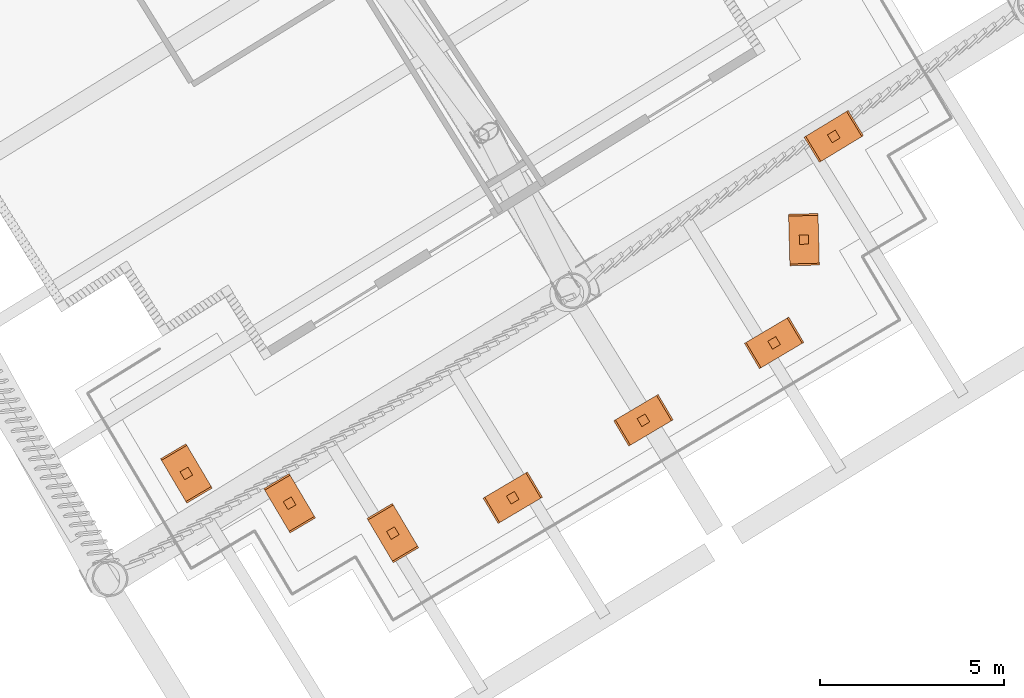
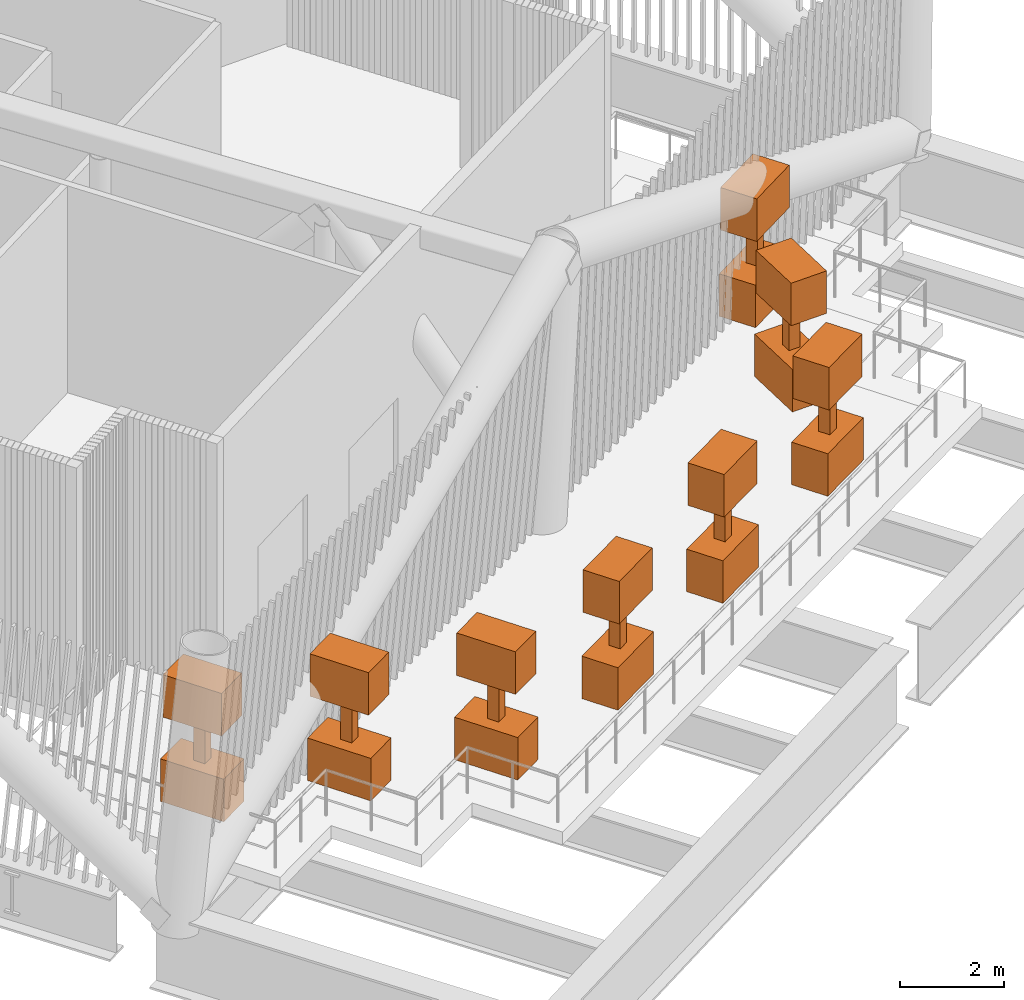
# One storey, part 40 of 40: 24 proxies.
"""IFC4 building model written with IfcOpenShell, lengths in metres."""

from ifc_helpers import new_model, si_unit, direction, frame, origin, origin_2d, place, context, subcontext, project, spatial, rectangle, extrude, material, type_object, element, save


model = new_model("IFC4")

# Units and contexts
model_context = context("Model", 3, precision=1e-05, world=origin(), true_north=direction((0.0, 1.0)))
body_context = subcontext(model_context, "Body", "Model", "MODEL_VIEW")
ifc_project = project(units=[si_unit("LENGTHUNIT", "METRE"), si_unit("AREAUNIT", "SQUARE_METRE"), si_unit("VOLUMEUNIT", "CUBIC_METRE"), si_unit("PLANEANGLEUNIT", "RADIAN"), si_unit("MASSUNIT", "GRAM", prefix="KILO")], contexts=[model_context])

# Site, building, storey
site_placement = place(None, origin())
site = spatial("IfcSite", under=ifc_project, at=site_placement, CompositionType="ELEMENT")
building_placement = place(site_placement, origin())
building = spatial("IfcBuilding", under=site, at=building_placement, Name="Tarsis Ring Headquarters", CompositionType="ELEMENT")
storey_placement = place(building_placement, frame((0.0, 0.0, 354.800048828125)))
storey = spatial("IfcBuildingStorey", under=building, at=storey_placement, Name="L84", CompositionType="ELEMENT", Elevation=354.800048828125)

# Proxies
ifc_material_1 = material(Name="Tree canopy foliage")
building_element_proxy_type_1 = type_object("IfcBuildingElementProxyType", Name="Tree canopy", PredefinedType="USERDEFINED", material=ifc_material_1)
for number, where, z_axis, x_axis, name in (
    (1, (25.47705078125, -25.355712890625, 2.0400390625), (0.0, 0.0, 1.0), (-0.854761506215, -0.519020970187, 0.0), "Tree canopy L84-T1.8"),
    (2, (24.6669921875, -28.16015625, 2.0400390625), (0.0, 0.0, 1.0), (0.025866332559, -0.999665410445, 0.0), "Tree canopy L84-T1.9"),
    (3, (23.85693359375, -30.964599609375, 2.0400390625), (0.0, 0.0, 1.0), (-0.860386439326, -0.509642202947, 0.0), "Tree canopy L84-T1.10"),
    (4, (20.306884765625, -33.0673828125, 2.0400390625), (0.0, 0.0, 1.0), (-0.860386439326, -0.509642202947, 0.0), "Tree canopy L84-T1.11"),
    (5, (16.7568359375, -35.17041015625, 2.0400390625), (0.0, 0.0, 1.0), (-0.860386439326, -0.509642202947, 0.0), "Tree canopy L84-T1.12"),
    (6, (13.498779296875, -36.131591796875, 2.0400390625), (0.0, 0.0, 1.0), (-0.509642202947, 0.860386439326, 0.0), "Tree canopy L84-T1.13"),
    (7, (10.694580078125, -35.321533203125, 2.0400390625), (0.0, 0.0, 1.0), (-0.509642202947, 0.860386439326, 0.0), "Tree canopy L84-T1.14"),
    (8, (7.89013671875, -34.511474609375, 2.0400390625), (0.0, 0.0, 1.0), (-0.509642202947, 0.860386439326, 0.0), "Tree canopy L84-T1.15"),
):
    element("IfcBuildingElementProxy", number, at=place(storey_placement, frame(where, z_axis=z_axis, x_axis=x_axis)), inside=storey, type_object=building_element_proxy_type_1, Name=name, ObjectType="Tree canopy", PredefinedType="USERDEFINED", context=body_context, shape_type="SweptSolid", body=[
        extrude(rectangle(XDim=1.300048828125, YDim=0.800048828125, at=origin_2d()), origin(), (0.0, 0.0, 1.0), 1.0),
    ])
ifc_material_2 = material(Name="Planter soil mix and tree")
building_element_proxy_type_2 = type_object("IfcBuildingElementProxyType", Name="Tree planter", PredefinedType="USERDEFINED", material=ifc_material_2)
for number, where, z_axis, x_axis, name in (
    (9, (25.47705078125, -25.355712890625, 0.0400390625), (0.0, 0.0, 1.0), (-0.854761506215, -0.519020970187, 0.0), "Tree planter L84-T1.8"),
    (10, (24.6669921875, -28.16015625, 0.0400390625), (0.0, 0.0, 1.0), (0.025866332559, -0.999665410445, 0.0), "Tree planter L84-T1.9"),
    (11, (23.85693359375, -30.964599609375, 0.0400390625), (0.0, 0.0, 1.0), (-0.860386439326, -0.509642202947, 0.0), "Tree planter L84-T1.10"),
    (12, (20.306884765625, -33.0673828125, 0.0400390625), (0.0, 0.0, 1.0), (-0.860386439326, -0.509642202947, 0.0), "Tree planter L84-T1.11"),
    (13, (16.7568359375, -35.17041015625, 0.0400390625), (0.0, 0.0, 1.0), (-0.860386439326, -0.509642202947, 0.0), "Tree planter L84-T1.12"),
    (14, (13.498779296875, -36.131591796875, 0.0400390625), (0.0, 0.0, 1.0), (-0.509642202947, 0.860386439326, 0.0), "Tree planter L84-T1.13"),
    (15, (10.694580078125, -35.321533203125, 0.0400390625), (0.0, 0.0, 1.0), (-0.509642202947, 0.860386439326, 0.0), "Tree planter L84-T1.14"),
    (16, (7.89013671875, -34.511474609375, 0.0400390625), (0.0, 0.0, 1.0), (-0.509642202947, 0.860386439326, 0.0), "Tree planter L84-T1.15"),
):
    element("IfcBuildingElementProxy", number, at=place(storey_placement, frame(where, z_axis=z_axis, x_axis=x_axis)), inside=storey, type_object=building_element_proxy_type_2, Name=name, ObjectType="Planter", PredefinedType="USERDEFINED", context=body_context, shape_type="SweptSolid", body=[
        extrude(rectangle(XDim=1.39990234375, YDim=0.800048828125, at=origin_2d()), origin(), (0.0, 0.0, 1.0), 1.0),
    ])
ifc_material_3 = material(Name="Tree trunk timber", Category="wood")
building_element_proxy_type_3 = type_object("IfcBuildingElementProxyType", Name="Tree trunk", PredefinedType="USERDEFINED", material=ifc_material_3)
for number, where, z_axis, x_axis, name in (
    (17, (25.47705078125, -25.355712890625, 1.0400390625), (0.0, 0.0, 1.0), (-0.854761506215, -0.519020970187, 0.0), "Tree trunk L84-T1.8"),
    (18, (24.6669921875, -28.16015625, 1.0400390625), (0.0, 0.0, 1.0), (0.025866332559, -0.999665410445, 0.0), "Tree trunk L84-T1.9"),
    (19, (23.85693359375, -30.964599609375, 1.0400390625), (0.0, 0.0, 1.0), (-0.860386439326, -0.509642202947, 0.0), "Tree trunk L84-T1.10"),
    (20, (20.306884765625, -33.0673828125, 1.0400390625), (0.0, 0.0, 1.0), (-0.860386439326, -0.509642202947, 0.0), "Tree trunk L84-T1.11"),
    (21, (16.7568359375, -35.17041015625, 1.0400390625), (0.0, 0.0, 1.0), (-0.860386439326, -0.509642202947, 0.0), "Tree trunk L84-T1.12"),
    (22, (13.498779296875, -36.131591796875, 1.0400390625), (0.0, 0.0, 1.0), (-0.509642202947, 0.860386439326, 0.0), "Tree trunk L84-T1.13"),
    (23, (10.694580078125, -35.321533203125, 1.0400390625), (0.0, 0.0, 1.0), (-0.509642202947, 0.860386439326, 0.0), "Tree trunk L84-T1.14"),
    (24, (7.89013671875, -34.511474609375, 1.0400390625), (0.0, 0.0, 1.0), (-0.509642202947, 0.860386439326, 0.0), "Tree trunk L84-T1.15"),
):
    element("IfcBuildingElementProxy", number, at=place(storey_placement, frame(where, z_axis=z_axis, x_axis=x_axis)), inside=storey, type_object=building_element_proxy_type_3, Name=name, ObjectType="Tree trunk", PredefinedType="USERDEFINED", context=body_context, shape_type="SweptSolid", body=[
        extrude(rectangle(XDim=0.25, YDim=0.25, at=origin_2d()), origin(), (0.0, 0.0, 1.0), 1.0),
    ])

save(model, "model.ifc")
